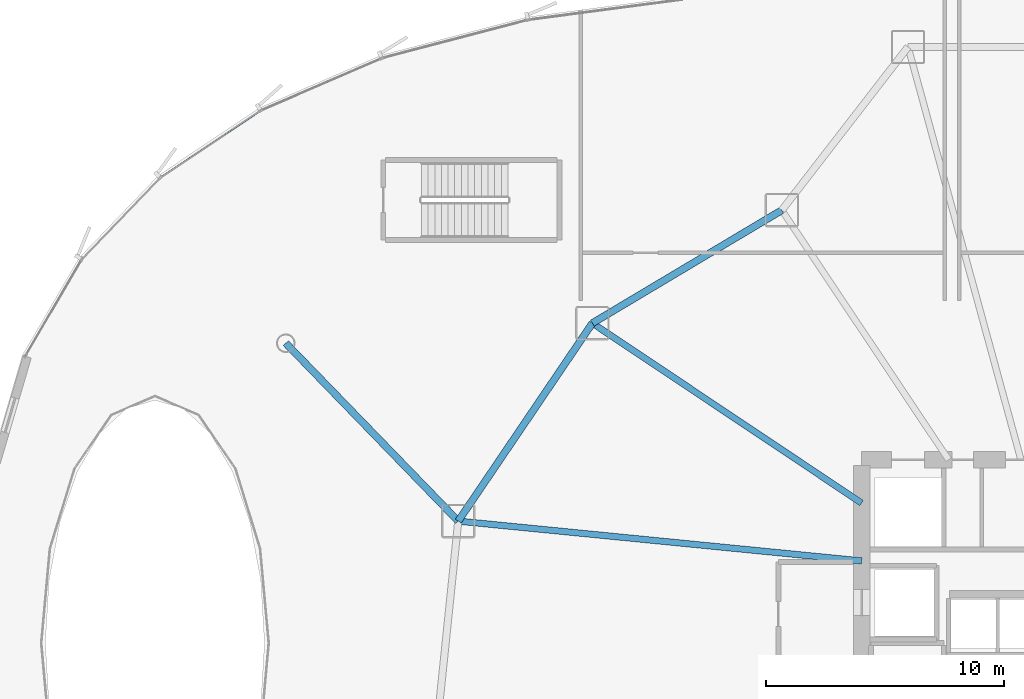
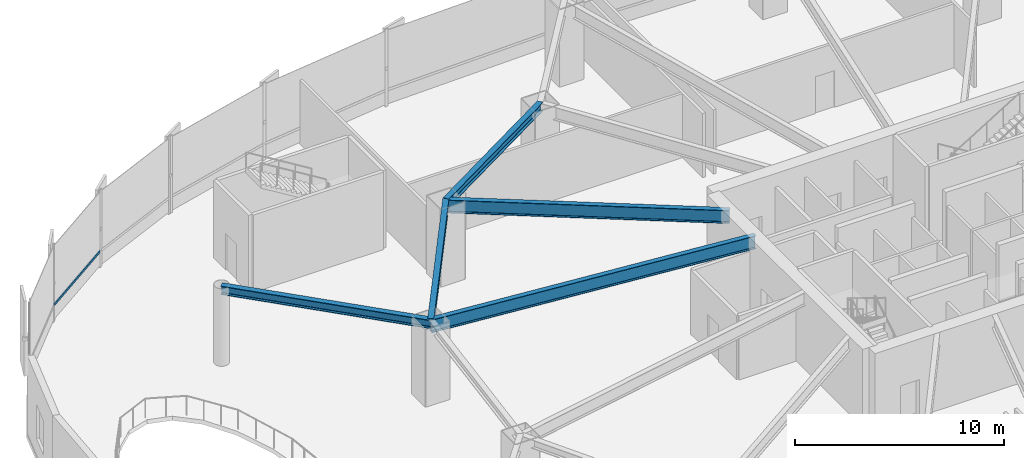
# One storey, part 11 of 33: 5 beams, 1 member, 1 element without a shape of its own.
"""IFC4 building model written with IfcOpenShell, lengths in metres."""

from ifc_helpers import new_model, si_unit, direction, frame, origin, origin_2d, place, context, subcontext, project, spatial, hollow_rectangle, i_section, extrude, source, transform, mapped, material, layer, layer_set, material_profile, profile_set, type_object, element, aggregate, save


model = new_model("IFC4")

# Units and contexts
model_context = context("Model", 3, precision=1e-05, world=origin(), true_north=direction((0.0, 1.0)))
body_context = subcontext(model_context, "Body", "Model", "MODEL_VIEW")
ifc_project = project(units=[si_unit("LENGTHUNIT", "METRE"), si_unit("AREAUNIT", "SQUARE_METRE"), si_unit("VOLUMEUNIT", "CUBIC_METRE"), si_unit("PLANEANGLEUNIT", "RADIAN"), si_unit("MASSUNIT", "GRAM", prefix="KILO"), si_unit("THERMODYNAMICTEMPERATUREUNIT", "KELVIN")], contexts=[model_context])

# Site, building, storey
site_placement = place(None, origin())
site = spatial("IfcSite", under=ifc_project, at=site_placement, CompositionType="ELEMENT")
building_placement = place(site_placement, origin())
building = spatial("IfcBuilding", under=site, at=building_placement, Name="Kethvar Cultural Tower", CompositionType="ELEMENT")
storey_placement = place(building_placement, frame((0.0, 0.0, 10.0)))
storey = spatial("IfcBuildingStorey", under=building, at=storey_placement, Name="L02", CompositionType="ELEMENT", Elevation=10.0)

# Beams
ifc_material_1 = material(Name="Steel S355J2", Category="steel")
ifc_material_profile_1 = material_profile(ifc_material_1, i_section(OverallWidth=0.300048828125, OverallDepth=0.5, WebThickness=0.014404296875, FlangeThickness=0.028076171875, FilletRadius=0.027099609375, at=origin_2d()), Name="Steel S355J2 — HEB500")
ifc_profile_set_1 = profile_set([ifc_material_profile_1], Name="Steel S355J2 — HEB500")
beam_type_1 = type_object("IfcBeamType", Name="BM-SP500", PredefinedType="SPANDREL", material=ifc_profile_set_1)
shared_shape_1 = source(origin(), body_context, "Body", "SweptSolid", [
    extrude(i_section(OverallWidth=0.300048828125, OverallDepth=0.5, WebThickness=0.014404296875, FlangeThickness=0.028076171875, FilletRadius=0.027099609375, at=origin_2d()), origin(), (0.0, 0.0, 1.0), 9.270263671875),
])
beam_1_placement = place(storey_placement, frame((34.64599609375, 45.98974609375, 4.278076171875), z_axis=(-0.858814626354, -0.51228647997, 0.0), x_axis=(0.51228647997, -0.858814626354, 0.0)))
element("IfcBeam", 1, at=beam_1_placement, inside=storey, type_object=beam_type_1, Name="L02 Podium Ring Beam 06", PredefinedType="SPANDREL", context=body_context, shape_type="MappedRepresentation", body=[
    mapped(shared_shape_1, transform((0.0, 0.0, 0.0), scale=1.0)),
])
shared_shape_2 = source(origin(), body_context, "Body", "SweptSolid", [
    extrude(i_section(OverallWidth=0.300048828125, OverallDepth=0.5, WebThickness=0.014404296875, FlangeThickness=0.028076171875, FilletRadius=0.027099609375, at=origin_2d()), origin(), (0.0, 0.0, 1.0), 10.048583984375),
])
beam_2_placement = place(storey_placement, frame((26.6845703125, 41.24072265625, 4.278076171875), z_axis=(-0.561025415443, -0.827798576483, 0.0), x_axis=(0.827798576483, -0.561025415443, 0.0)))
element("IfcBeam", 2, at=beam_2_placement, inside=storey, type_object=beam_type_1, Name="L02 Podium Ring Beam 07", PredefinedType="SPANDREL", context=body_context, shape_type="MappedRepresentation", body=[
    mapped(shared_shape_2, transform((0.0, 0.0, 0.0), scale=1.0)),
])
shared_shape_3 = source(origin(), body_context, "Body", "SweptSolid", [
    extrude(i_section(OverallWidth=0.300048828125, OverallDepth=0.5, WebThickness=0.014404296875, FlangeThickness=0.028076171875, FilletRadius=0.027099609375, at=origin_2d()), origin(), (0.0, 0.0, 1.0), 10.4130859375),
])
beam_3_placement = place(storey_placement, frame((13.800048828125, 40.39990234375, 4.278076171875), z_axis=(0.695965659729, -0.718075066047, 0.0), x_axis=(0.718075066047, 0.695965659729, 0.0)))
element("IfcBeam", 3, at=beam_3_placement, inside=storey, type_object=beam_type_1, Name="L02 West Atrium Wing Beam 02", PredefinedType="SPANDREL", context=body_context, shape_type="MappedRepresentation", body=[
    mapped(shared_shape_3, transform((0.0, 0.0, 0.0), scale=1.0)),
])
ifc_material_profile_2 = material_profile(ifc_material_1, i_section(OverallWidth=0.26708984375, OverallDepth=0.761962890625, WebThickness=0.014404296875, FlangeThickness=0.021484375, FilletRadius=0.01708984375, at=origin_2d()), Name="Steel S355J2 — IPE750x173")
ifc_profile_set_2 = profile_set([ifc_material_profile_2], Name="Steel S355J2 — IPE750x173")
beam_type_2 = type_object("IfcBeamType", Name="BM-IPE750", PredefinedType="BEAM", material=ifc_profile_set_2)
shared_shape_4 = source(origin(), body_context, "Body", "SweptSolid", [
    extrude(i_section(OverallWidth=0.26708984375, OverallDepth=0.761962890625, WebThickness=0.014404296875, FlangeThickness=0.021484375, FilletRadius=0.01708984375, at=origin_2d()), origin(), (0.0, 0.0, 1.0), 13.60888671875),
])
beam_4_placement = place(storey_placement, frame((38.0, 33.679931640625, 4.14697265625), z_axis=(-0.831467486755, 0.555573414113, 0.0), x_axis=(-0.555573414113, -0.831467486755, 0.0)))
element("IfcBeam", 4, at=beam_4_placement, inside=storey, type_object=beam_type_2, Name="L02 Podium Radial Girder 07", PredefinedType="BEAM", context=body_context, shape_type="MappedRepresentation", body=[
    mapped(shared_shape_4, transform((0.0, 0.0, 0.0), scale=1.0)),
])
shared_shape_5 = source(origin(), body_context, "Body", "SweptSolid", [
    extrude(i_section(OverallWidth=0.26708984375, OverallDepth=0.761962890625, WebThickness=0.014404296875, FlangeThickness=0.021484375, FilletRadius=0.01708984375, at=origin_2d()), origin(), (0.0, 0.0, 1.0), 17.03515625),
])
beam_5_placement = place(storey_placement, frame((38.0, 31.25, 4.14697265625), z_axis=(-0.995168138859, 0.098185413375, 0.0), x_axis=(-0.098185413375, -0.995168138859, 0.0)))
element("IfcBeam", 5, at=beam_5_placement, inside=storey, type_object=beam_type_2, Name="L02 Podium Radial Girder 08", PredefinedType="BEAM", context=body_context, shape_type="MappedRepresentation", body=[
    mapped(shared_shape_5, transform((0.0, 0.0, 0.0), scale=1.0)),
])

# Curtain wall, member
ifc_material_2 = material(Name="Aluminium 6063-T6", Category="aluminium")
ifc_layer = layer(ifc_material_2, 0.179931640625, Name="Aluminium 6063-T6", Category="aluminium")
ifc_layer_set = layer_set([ifc_layer], Name="Aluminium 6063-T6 (180 mm)")
curtain_wall_type = type_object("IfcCurtainWallType", Name="CW-SYS-01-POD", PredefinedType="NOTDEFINED", material=ifc_layer_set)
curtain_wall_placement = place(storey_placement, origin())
curtain_wall = element("IfcCurtainWall", 6, at=curtain_wall_placement, inside=storey, type_object=curtain_wall_type, Name="L02 Curtain Wall Run 03", PredefinedType="NOTDEFINED")
ifc_material_profile_3 = material_profile(ifc_material_2, hollow_rectangle(XDim=0.06005859375, YDim=0.139892578125, WallThickness=0.0048828125, at=origin_2d()), Name="Aluminium 6063-T6 — RHS140x60x5")
ifc_profile_set_3 = profile_set([ifc_material_profile_3], Name="Aluminium 6063-T6 — RHS140x60x5")
member_type = type_object("IfcMemberType", Name="CW-SYS-01-POD-TRN", PredefinedType="USERDEFINED", material=ifc_profile_set_3)
shared_shape_6 = source(origin(), body_context, "Body", "SweptSolid", [
    extrude(hollow_rectangle(XDim=0.06005859375, YDim=0.139892578125, WallThickness=0.0048828125, at=origin_2d()), origin(), (0.0, 0.0, 1.0), 4.991455078125),
])
member_placement = place(storey_placement, frame((12.701171875, 50.14599609375, 0.949951171875), z_axis=(-0.830806616573, -0.556561196867, 0.0), x_axis=(0.556561196867, -0.830806616573, 0.0)))
member = element("IfcMember", 7, at=member_placement, type_object=member_type, Name="CW-L02-R03 Transom 2", ObjectType="TRANSOM", PredefinedType="USERDEFINED", context=body_context, shape_type="MappedRepresentation", body=[
    mapped(shared_shape_6, transform((0.0, 0.0, 0.0), scale=1.0)),
])
aggregate(curtain_wall, [member])

save(model, "model.ifc")
